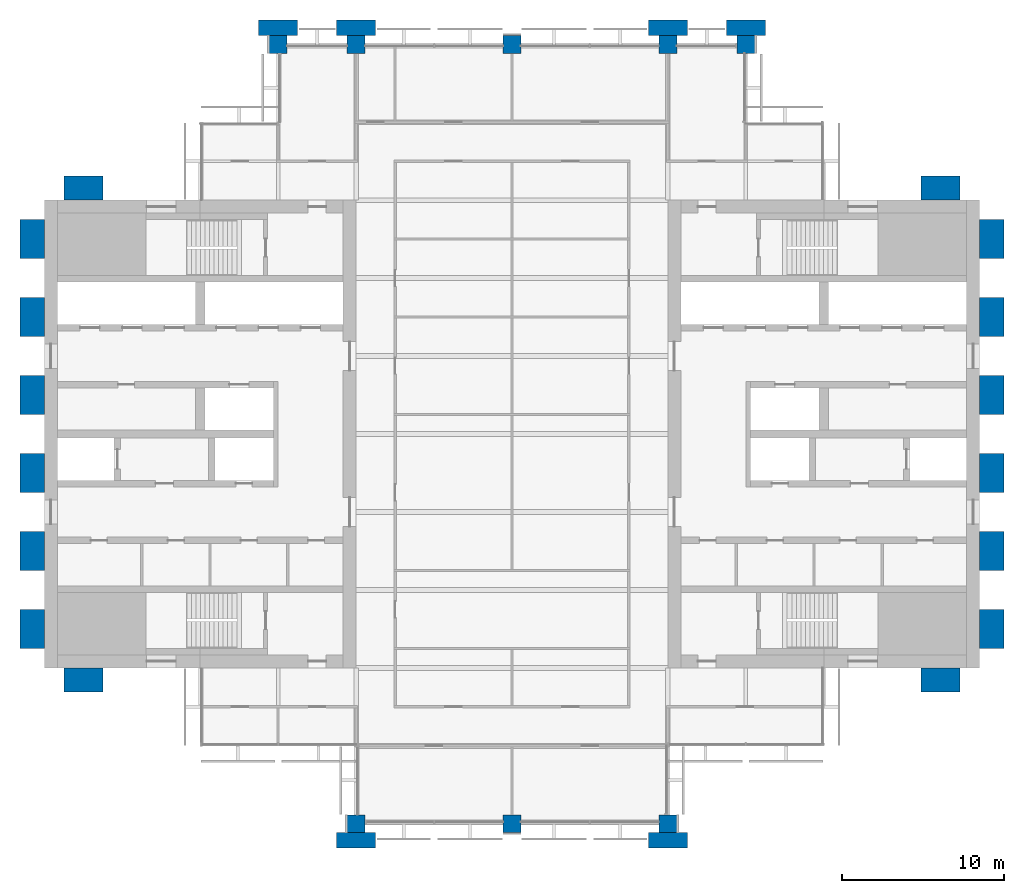
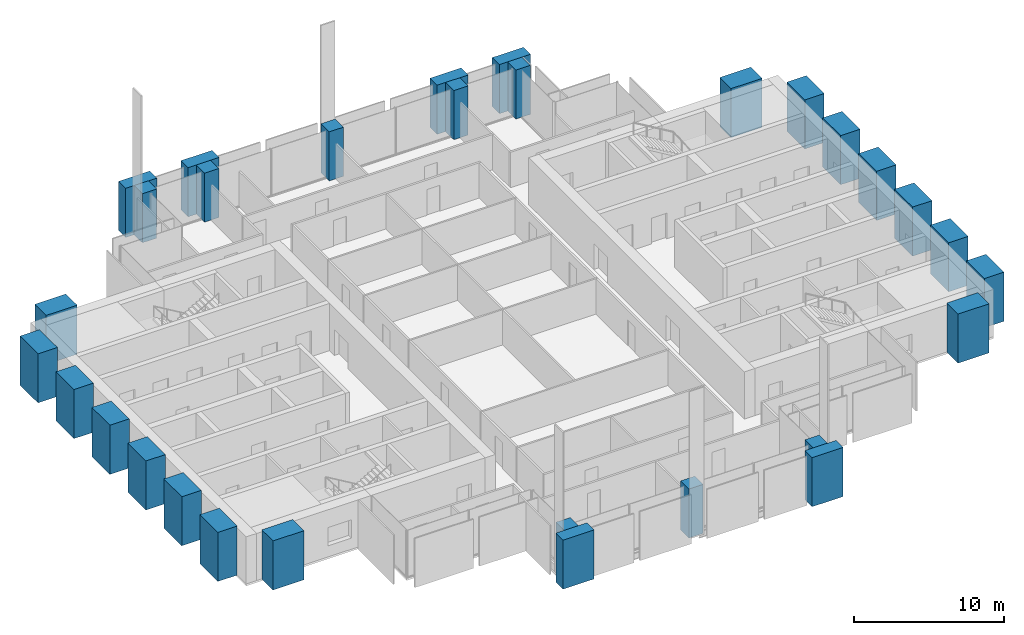
# One storey, part 1 of 13: 30 columns.
"""IFC4 building model written with IfcOpenShell, lengths in metres."""

from ifc_helpers import new_model, si_unit, direction, frame, origin, origin_2d, place, context, subcontext, project, spatial, rectangle, extrude, material, material_profile, profile_set, type_object, element, save


model = new_model("IFC4")

# Units and contexts
model_context = context("Model", 3, precision=1e-05, world=origin(), true_north=direction((0.0, 1.0)))
body_context = subcontext(model_context, "Body", "Model", "MODEL_VIEW")
ifc_project = project(units=[si_unit("LENGTHUNIT", "METRE"), si_unit("AREAUNIT", "SQUARE_METRE"), si_unit("VOLUMEUNIT", "CUBIC_METRE"), si_unit("PLANEANGLEUNIT", "RADIAN"), si_unit("MASSUNIT", "GRAM", prefix="KILO")], contexts=[model_context])

# Site, building, storey
site_placement = place(None, origin())
site = spatial("IfcSite", under=ifc_project, at=site_placement, CompositionType="ELEMENT")
building_placement = place(site_placement, origin())
building = spatial("IfcBuilding", under=site, at=building_placement, Name="Baori Bourse Tower", CompositionType="ELEMENT")
storey_placement = place(building_placement, frame((0.0, 0.0, 201.199951171875)))
storey = spatial("IfcBuildingStorey", under=building, at=storey_placement, Name="L43", CompositionType="ELEMENT", Elevation=201.199951171875)

# Columns
ifc_material_1 = material(Name="Concrete f'c 60 MPa", Category="concrete")
ifc_material_profile_1 = material_profile(ifc_material_1, rectangle(XDim=2.39990234375, YDim=0.949951171875, at=origin_2d()), Name="RC 2400x950")
ifc_profile_set_1 = profile_set([ifc_material_profile_1], Name="Concrete f'c 60 MPa")
column_type_1 = type_object("IfcColumnType", Name="FN3 Brick pilaster 2400x950", PredefinedType="PILASTER", material=ifc_profile_set_1)
for number, where, z_axis, x_axis, name in (
    (1, (19.199951171875, -1.02490234375, 0.0), (0.0, 0.0, 1.0), (1.0, 0.0, 0.0), "Brick pilaster L43 17"),
    (2, (38.39990234375, -1.02490234375, 0.0), (0.0, 0.0, 1.0), (1.0, 0.0, 0.0), "Brick pilaster L43 18"),
    (3, (14.39990234375, 49.02490234375, 0.0), (0.0, 0.0, 1.0), (1.0, 0.0, 0.0), "Brick pilaster L43 19"),
    (4, (19.199951171875, 49.02490234375, 0.0), (0.0, 0.0, 1.0), (1.0, 0.0, 0.0), "Brick pilaster L43 20"),
    (5, (38.39990234375, 49.02490234375, 0.0), (0.0, 0.0, 1.0), (1.0, 0.0, 0.0), "Brick pilaster L43 21"),
    (6, (43.199951171875, 49.02490234375, 0.0), (0.0, 0.0, 1.0), (1.0, 0.0, 0.0), "Brick pilaster L43 22"),
):
    element("IfcColumn", number, at=place(storey_placement, frame(where, z_axis=z_axis, x_axis=x_axis)), inside=storey, type_object=column_type_1, Name=name, PredefinedType="PILASTER", context=body_context, shape_type="SweptSolid", body=[
        extrude(rectangle(XDim=2.39990234375, YDim=0.949951171875, at=origin_2d()), origin(), (0.0, 0.0, 1.0), 4.0),
    ])
ifc_material_2 = material(Name="Concrete f'c 60 MPa", Category="concrete")
ifc_material_profile_2 = material_profile(ifc_material_2, rectangle(XDim=2.39990234375, YDim=1.5, at=origin_2d()), Name="RC 2400x1500")
ifc_profile_set_2 = profile_set([ifc_material_profile_2], Name="Concrete f'c 60 MPa")
column_type_2 = type_object("IfcColumnType", Name="FN4 Brick flank pilaster 2400x1500", PredefinedType="PILASTER", material=ifc_profile_set_2)
for number, where, z_axis, x_axis, name in (
    (7, (55.199951171875, 8.85009765625, 0.0), (0.0, 0.0, 1.0), (1.0, 0.0, 0.0), "Brick pilaster L43 1"),
    (8, (58.35009765625, 12.0, 0.0), (0.0, 0.0, 1.0), (0.0, 1.0, 0.0), "Brick pilaster L43 2"),
    (9, (58.35009765625, 16.800048828125, 0.0), (0.0, 0.0, 1.0), (0.0, 1.0, 0.0), "Brick pilaster L43 3"),
    (10, (58.35009765625, 21.60009765625, 0.0), (0.0, 0.0, 1.0), (0.0, 1.0, 0.0), "Brick pilaster L43 4"),
    (11, (58.35009765625, 26.39990234375, 0.0), (0.0, 0.0, 1.0), (0.0, 1.0, 0.0), "Brick pilaster L43 5"),
    (12, (58.35009765625, 31.199951171875, 0.0), (0.0, 0.0, 1.0), (0.0, 1.0, 0.0), "Brick pilaster L43 6"),
    (13, (58.35009765625, 36.0, 0.0), (0.0, 0.0, 1.0), (0.0, 1.0, 0.0), "Brick pilaster L43 7"),
    (14, (55.199951171875, 39.14990234375, 0.0), (0.0, 0.0, 1.0), (1.0, 0.0, 0.0), "Brick pilaster L43 8"),
    (15, (2.39990234375, 39.14990234375, 0.0), (0.0, 0.0, 1.0), (1.0, 0.0, 0.0), "Brick pilaster L43 9"),
    (16, (-0.75, 12.0, 0.0), (0.0, 0.0, 1.0), (0.0, 1.0, 0.0), "Brick pilaster L43 10"),
    (17, (-0.75, 16.800048828125, 0.0), (0.0, 0.0, 1.0), (0.0, 1.0, 0.0), "Brick pilaster L43 11"),
    (18, (-0.75, 21.60009765625, 0.0), (0.0, 0.0, 1.0), (0.0, 1.0, 0.0), "Brick pilaster L43 12"),
    (19, (-0.75, 26.39990234375, 0.0), (0.0, 0.0, 1.0), (0.0, 1.0, 0.0), "Brick pilaster L43 13"),
    (20, (-0.75, 31.199951171875, 0.0), (0.0, 0.0, 1.0), (0.0, 1.0, 0.0), "Brick pilaster L43 14"),
    (21, (-0.75, 36.0, 0.0), (0.0, 0.0, 1.0), (0.0, 1.0, 0.0), "Brick pilaster L43 15"),
    (22, (2.39990234375, 8.85009765625, 0.0), (0.0, 0.0, 1.0), (1.0, 0.0, 0.0), "Brick pilaster L43 16"),
):
    element("IfcColumn", number, at=place(storey_placement, frame(where, z_axis=z_axis, x_axis=x_axis)), inside=storey, type_object=column_type_2, Name=name, PredefinedType="PILASTER", context=body_context, shape_type="SweptSolid", body=[
        extrude(rectangle(XDim=2.39990234375, YDim=1.5, at=origin_2d()), origin(), (0.0, 0.0, 1.0), 4.0),
    ])
ifc_material_3 = material(Name="Concrete f'c 50 MPa", Category="concrete")
ifc_material_profile_3 = material_profile(ifc_material_3, rectangle(XDim=1.10009765625, YDim=1.10009765625, at=origin_2d()), Name="RC 1100x1100")
ifc_profile_set_3 = profile_set([ifc_material_profile_3], Name="Concrete f'c 50 MPa")
column_type_3 = type_object("IfcColumnType", Name="Perimeter column 50 RC 1100x1100", PredefinedType="COLUMN", material=ifc_profile_set_3)
for number, where, z_axis, x_axis, name in (
    (23, (19.199951171875, 0.0, 0.0), (0.0, 0.0, 1.0), (1.0, 0.0, 0.0), "Perimeter column L43"),
    (24, (28.800048828125, 0.0, 0.0), (0.0, 0.0, 1.0), (1.0, 0.0, 0.0), "Perimeter column L43"),
    (25, (38.39990234375, 0.0, 0.0), (0.0, 0.0, 1.0), (1.0, 0.0, 0.0), "Perimeter column L43"),
    (26, (14.39990234375, 48.0, 0.0), (0.0, 0.0, 1.0), (1.0, 0.0, 0.0), "Perimeter column L43"),
    (27, (19.199951171875, 48.0, 0.0), (0.0, 0.0, 1.0), (1.0, 0.0, 0.0), "Perimeter column L43"),
    (28, (28.800048828125, 48.0, 0.0), (0.0, 0.0, 1.0), (1.0, 0.0, 0.0), "Perimeter column L43"),
    (29, (38.39990234375, 48.0, 0.0), (0.0, 0.0, 1.0), (1.0, 0.0, 0.0), "Perimeter column L43"),
    (30, (43.199951171875, 48.0, 0.0), (0.0, 0.0, 1.0), (1.0, 0.0, 0.0), "Perimeter column L43"),
):
    element("IfcColumn", number, at=place(storey_placement, frame(where, z_axis=z_axis, x_axis=x_axis)), inside=storey, type_object=column_type_3, Name=name, PredefinedType="COLUMN", context=body_context, shape_type="SweptSolid", body=[
        extrude(rectangle(XDim=1.10009765625, YDim=1.10009765625, at=origin_2d()), origin(), (0.0, 0.0, 1.0), 4.0),
    ])

save(model, "model.ifc")
